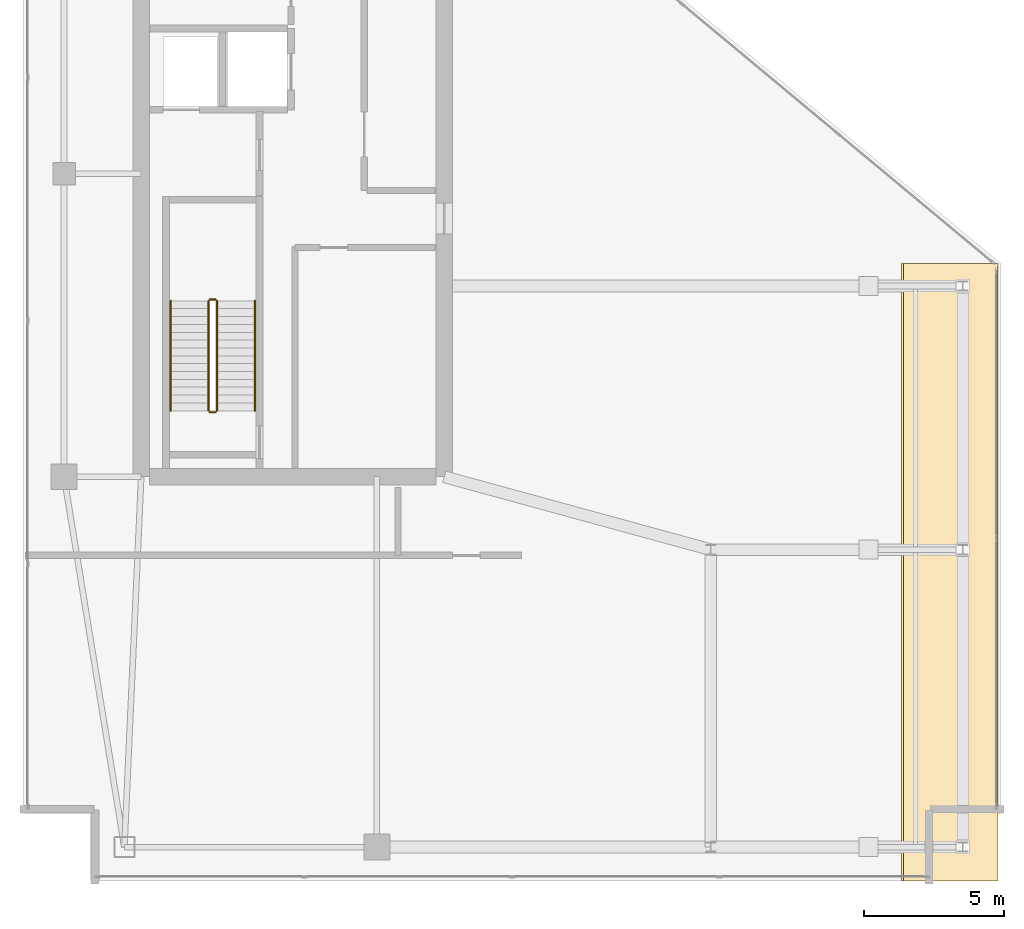
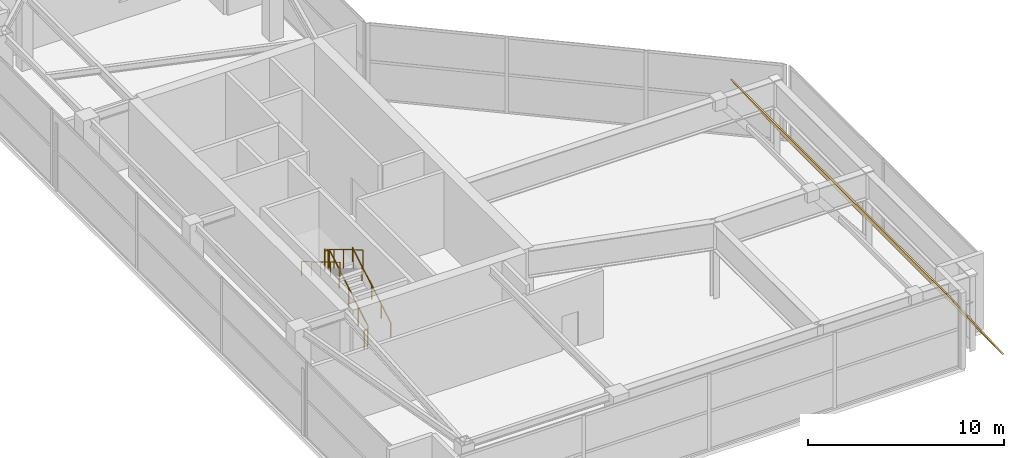
# One storey, part 20 of 21: 6 railings, 1 covering.
"""IFC4 building model written with IfcOpenShell, lengths in metres."""

from ifc_helpers import new_model, si_unit, direction, frame, origin, origin_2d, place, context, subcontext, project, spatial, polyline, circle, outline, extrude, material, layer, layer_set, type_object, element, save


model = new_model("IFC4")

# Units and contexts
model_context = context("Model", 3, precision=1e-05, world=origin(), true_north=direction((0.0, 1.0)))
body_context = subcontext(model_context, "Body", "Model", "MODEL_VIEW")
ifc_project = project(units=[si_unit("LENGTHUNIT", "METRE"), si_unit("AREAUNIT", "SQUARE_METRE"), si_unit("VOLUMEUNIT", "CUBIC_METRE"), si_unit("PLANEANGLEUNIT", "RADIAN"), si_unit("MASSUNIT", "GRAM", prefix="KILO")], contexts=[model_context])

# Site, building, storey
site_placement = place(None, origin())
site = spatial("IfcSite", under=ifc_project, at=site_placement, CompositionType="ELEMENT")
building_placement = place(site_placement, origin())
building = spatial("IfcBuilding", under=site, at=building_placement, Name="Calvorn Quay Hotel", CompositionType="ELEMENT")
storey_placement = place(building_placement, frame((0.0, 0.0, 320.5)))
storey = spatial("IfcBuildingStorey", under=building, at=storey_placement, Name="L79", CompositionType="ELEMENT", Elevation=320.5)

# Covering
ifc_material_1 = material(Name="Insulated Elastomeric Waterproof Roofing")
ifc_layer = layer(ifc_material_1, 0.080078125)
ifc_layer_set = layer_set([ifc_layer], Name="COV-ROOF-MEMBRANE")
covering_type = type_object("IfcCoveringType", Name="COV-ROOF-MEMBRANE", PredefinedType="ROOFING", material=ifc_layer_set)
covering_placement = place(storey_placement, frame((31.366943359375, 2.39990234375, 5.0), z_axis=(0.829543002826, 0.0, 0.558442840819), x_axis=(0.558442840819, 0.0, -0.829543002826)))
element("IfcCovering", 1, at=covering_placement, inside=storey, type_object=covering_type, Name="Slanted-Cut Crown Roof Cladding L79", PredefinedType="ROOFING", context=body_context, shape_type="SweptSolid", body=[
    extrude(outline(polyline([(0.0, 0.0), (6.027415074280595, 0.0), (6.027415074280595, 22.0), (0.0, 22.0), (0.0, 0.0)])), origin(), (0.0, 0.0, -1.0), 0.080078125),
])

# Railings
ifc_material_2 = material(Name="Brushed Stainless Steel Handrail", Category="steel")
railing_type_1 = type_object("IfcRailingType", Name="RLG-HANDRAIL-900", PredefinedType="HANDRAIL", material=ifc_material_2)
railing_1_placement = place(storey_placement, frame((8.25, 19.14990234375, 0.166748046875)))
element("IfcRailing", 2, at=railing_1_placement, inside=storey, type_object=railing_type_1, Name="L79 ST-W stair handrail 1", PredefinedType="HANDRAIL", context=body_context, shape_type="SweptSolid", body=[
    extrude(circle(Radius=0.02392578125, at=origin_2d()), frame((0.0, 0.0, 0.8759765625), z_axis=(0.0, 0.859310244771, 0.511454693235), x_axis=(-1.0, 0.0, 0.0)), (0.0, 0.0, 1.0), 4.56201171875),
    extrude(circle(Radius=0.02099609375, at=origin_2d()), origin(), (0.0, 0.0, 1.0), 0.851806640625),
    extrude(circle(Radius=0.02099609375, at=origin_2d()), frame((0.0, 0.97998046875, 0.583251953125)), (0.0, 0.0, 1.0), 0.851806640625),
    extrude(circle(Radius=0.02099609375, at=origin_2d()), frame((0.0, 1.9599609375, 1.16650390625)), (0.0, 0.0, 1.0), 0.851806640625),
    extrude(circle(Radius=0.02099609375, at=origin_2d()), frame((0.0, 2.940185546875, 1.75)), (0.0, 0.0, 1.0), 0.851806640625),
    extrude(circle(Radius=0.02099609375, at=origin_2d()), frame((0.0, 3.920166015625, 2.333251953125)), (0.0, 0.0, 1.0), 0.851806640625),
])
railing_2_placement = place(storey_placement, frame((5.25, 23.070068359375, 2.666748046875)))
element("IfcRailing", 3, at=railing_2_placement, inside=storey, type_object=railing_type_1, Name="L79 ST-W stair handrail 2", PredefinedType="HANDRAIL", context=body_context, shape_type="SweptSolid", body=[
    extrude(circle(Radius=0.02392578125, at=origin_2d()), frame((0.0, 0.0, 0.8759765625), z_axis=(0.0, -0.859310244771, 0.511454693235), x_axis=(1.0, 0.0, 0.0)), (0.0, 0.0, 1.0), 4.56201171875),
    extrude(circle(Radius=0.02099609375, at=origin_2d()), origin(), (0.0, 0.0, 1.0), 0.851806640625),
    extrude(circle(Radius=0.02099609375, at=origin_2d()), frame((0.0, -0.97998046875, 0.583251953125)), (0.0, 0.0, 1.0), 0.851806640625),
    extrude(circle(Radius=0.02099609375, at=origin_2d()), frame((0.0, -1.9599609375, 1.16650390625)), (0.0, 0.0, 1.0), 0.851806640625),
    extrude(circle(Radius=0.02099609375, at=origin_2d()), frame((0.0, -2.940185546875, 1.75)), (0.0, 0.0, 1.0), 0.851806640625),
    extrude(circle(Radius=0.02099609375, at=origin_2d()), frame((0.0, -3.920166015625, 2.333251953125)), (0.0, 0.0, 1.0), 0.851806640625),
])
ifc_material_3 = material(Name="Painted Galvanised Steel Balustrade", Category="steel")
railing_type_2 = type_object("IfcRailingType", Name="RLG-STAIR-GUARD-1120", PredefinedType="GUARDRAIL", material=ifc_material_3)
railing_3_placement = place(storey_placement, frame((6.89990234375, 19.14990234375, 0.166748046875)))
element("IfcRailing", 4, at=railing_3_placement, inside=storey, type_object=railing_type_2, Name="L79 ST-W stair guard 1", PredefinedType="GUARDRAIL", context=body_context, shape_type="SweptSolid", body=[
    extrude(circle(Radius=0.02392578125, at=origin_2d()), frame((0.0, 0.0, 1.17578125), z_axis=(0.0, 0.859310244771, 0.511454693235), x_axis=(-1.0, 0.0, 0.0)), (0.0, 0.0, 1.0), 4.56201171875),
    extrude(circle(Radius=0.02099609375, at=origin_2d()), origin(), (0.0, 0.0, 1.0), 1.15185546875),
    extrude(circle(Radius=0.02099609375, at=origin_2d()), frame((0.0, 0.97998046875, 0.583251953125)), (0.0, 0.0, 1.0), 1.15185546875),
    extrude(circle(Radius=0.02099609375, at=origin_2d()), frame((0.0, 1.9599609375, 1.16650390625)), (0.0, 0.0, 1.0), 1.15185546875),
    extrude(circle(Radius=0.02099609375, at=origin_2d()), frame((0.0, 2.940185546875, 1.75)), (0.0, 0.0, 1.0), 1.15185546875),
    extrude(circle(Radius=0.02099609375, at=origin_2d()), frame((0.0, 3.920166015625, 2.333251953125)), (0.0, 0.0, 1.0), 1.15185546875),
])
railing_4_placement = place(storey_placement, frame((6.85009765625, 23.1201171875, 2.5)))
element("IfcRailing", 5, at=railing_4_placement, inside=storey, type_object=railing_type_2, Name="L79 ST-W stair guard 2", PredefinedType="GUARDRAIL", context=body_context, shape_type="SweptSolid", body=[
    extrude(circle(Radius=0.02392578125, at=origin_2d()), frame((0.0, 0.0, 1.17578125), z_axis=(-1.0, 0.0, 0.0), x_axis=(0.0, -1.0, 0.0)), (0.0, 0.0, 1.0), 0.2001953125),
    extrude(circle(Radius=0.02099609375, at=origin_2d()), origin(), (0.0, 0.0, 1.0), 1.15185546875),
    extrude(circle(Radius=0.02099609375, at=origin_2d()), frame((-0.2001953125, 0.0, 0.0)), (0.0, 0.0, 1.0), 1.15185546875),
])
railing_5_placement = place(storey_placement, frame((6.60009765625, 23.070068359375, 2.666748046875)))
element("IfcRailing", 6, at=railing_5_placement, inside=storey, type_object=railing_type_2, Name="L79 ST-W stair guard 3", PredefinedType="GUARDRAIL", context=body_context, shape_type="SweptSolid", body=[
    extrude(circle(Radius=0.02392578125, at=origin_2d()), frame((0.0, 0.0, 1.17578125), z_axis=(0.0, -0.859310244771, 0.511454693235), x_axis=(1.0, 0.0, 0.0)), (0.0, 0.0, 1.0), 4.56201171875),
    extrude(circle(Radius=0.02099609375, at=origin_2d()), origin(), (0.0, 0.0, 1.0), 1.15185546875),
    extrude(circle(Radius=0.02099609375, at=origin_2d()), frame((0.0, -0.97998046875, 0.583251953125)), (0.0, 0.0, 1.0), 1.15185546875),
    extrude(circle(Radius=0.02099609375, at=origin_2d()), frame((0.0, -1.9599609375, 1.16650390625)), (0.0, 0.0, 1.0), 1.15185546875),
    extrude(circle(Radius=0.02099609375, at=origin_2d()), frame((0.0, -2.940185546875, 1.75)), (0.0, 0.0, 1.0), 1.15185546875),
    extrude(circle(Radius=0.02099609375, at=origin_2d()), frame((0.0, -3.920166015625, 2.333251953125)), (0.0, 0.0, 1.0), 1.15185546875),
])
railing_6_placement = place(storey_placement, frame((6.85009765625, 19.10009765625, 0.0)))
element("IfcRailing", 7, at=railing_6_placement, inside=storey, type_object=railing_type_2, Name="L79 ST-W stair guard 4", PredefinedType="GUARDRAIL", context=body_context, shape_type="SweptSolid", body=[
    extrude(circle(Radius=0.02392578125, at=origin_2d()), frame((0.0, 0.0, 1.17578125), z_axis=(-1.0, 0.0, 0.0), x_axis=(0.0, -1.0, 0.0)), (0.0, 0.0, 1.0), 0.2001953125),
    extrude(circle(Radius=0.02099609375, at=origin_2d()), origin(), (0.0, 0.0, 1.0), 1.15185546875),
    extrude(circle(Radius=0.02099609375, at=origin_2d()), frame((-0.2001953125, 0.0, 0.0)), (0.0, 0.0, 1.0), 1.15185546875),
])

save(model, "model.ifc")
